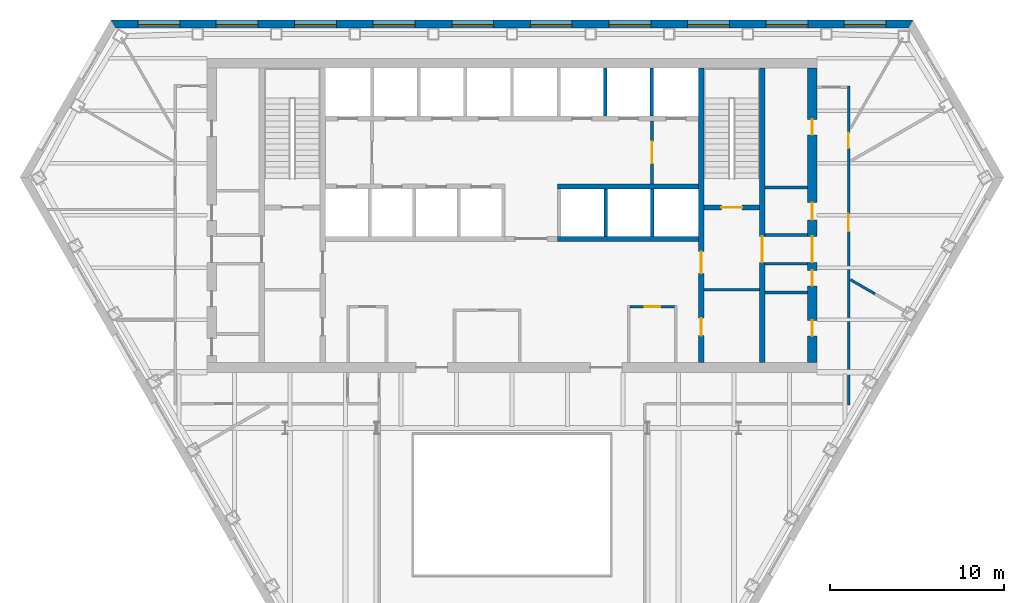
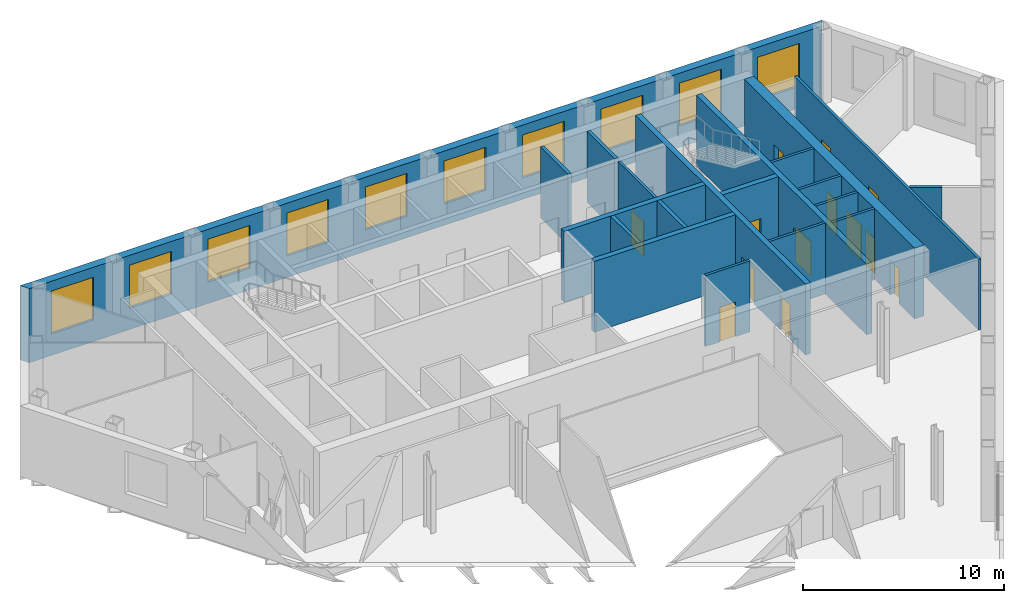
# One storey, part 7 of 11: 20 walls, 13 doors, 10 windows, 23 openings.
"""IFC4 building model written with IfcOpenShell, lengths in metres."""

from ifc_helpers import new_model, si_unit, direction, frame, frame_2d, origin, place, context, subcontext, project, spatial, polyline, rectangle, outline, extrude, material, layer, layer_set, type_object, element, fill, save


model = new_model("IFC4")

# Units and contexts
model_context = context("Model", 3, precision=1e-05, world=origin(), true_north=direction((0.0, 1.0)))
body_context = subcontext(model_context, "Body", "Model", "MODEL_VIEW")
ifc_project = project(units=[si_unit("LENGTHUNIT", "METRE"), si_unit("AREAUNIT", "SQUARE_METRE"), si_unit("VOLUMEUNIT", "CUBIC_METRE"), si_unit("PLANEANGLEUNIT", "RADIAN"), si_unit("MASSUNIT", "GRAM", prefix="KILO")], contexts=[model_context])

# Site, building, storey
site_placement = place(None, origin())
site = spatial("IfcSite", under=ifc_project, at=site_placement, CompositionType="ELEMENT")
building_placement = place(site_placement, origin())
building = spatial("IfcBuilding", under=site, at=building_placement, Name="Njiva Tower", CompositionType="ELEMENT")
storey_placement = place(building_placement, frame((0.0, 0.0, 84.3)))
storey = spatial("IfcBuildingStorey", under=building, at=storey_placement, Name="L17", CompositionType="ELEMENT", Elevation=84.3)

# Walls
ifc_material_1 = material(Name="Blockwork", Category="masonry")
ifc_layer_1 = layer(ifc_material_1, 0.15)
ifc_layer_set_1 = layer_set([ifc_layer_1], Name="Blockwork")
wall_type_1 = type_object("IfcWallType", Name="WT1 Compartment partition 150", PredefinedType="PARTITIONING", material=ifc_layer_set_1)
wall_1_placement = place(storey_placement, frame((11.0, 4.725, 0.0), z_axis=(0.0, 0.0, 1.0), x_axis=(1.0, 0.0, 0.0)))
element("IfcWall", 1, at=wall_1_placement, inside=storey, type_object=wall_type_1, Name="Room wall B", PredefinedType="PARTITIONING", context=body_context, shape_type="SweptSolid", body=[
    extrude(rectangle(XDim=3.2, YDim=0.15, at=frame_2d((1.6, 0.0))), origin(), (0.0, 0.0, 1.0), 4.3),
])
wall_2_placement = place(storey_placement, frame((14.5, 10.5941, 0.0), z_axis=(0.0, 0.0, 1.0), x_axis=(1.0, 0.0, 0.0)))
element("IfcWall", 2, at=wall_2_placement, inside=storey, type_object=wall_type_1, Name="Partition strip E10", PredefinedType="PARTITIONING", context=body_context, shape_type="SweptSolid", body=[
    extrude(rectangle(XDim=2.45, YDim=0.15, at=frame_2d((1.225, 0.0))), origin(), (0.0, 0.0, 1.0), 4.3),
])

# Wall, opening, door
wall_3_placement = place(storey_placement, frame((6.775, 3.75, 0.0), z_axis=(0.0, 0.0, 1.0), x_axis=(1.0, 0.0, 0.0)))
wall_3 = element("IfcWall", 3, at=wall_3_placement, inside=storey, type_object=wall_type_1, Name="Information office wall north", PredefinedType="PARTITIONING", context=body_context, shape_type="SweptSolid", body=[
    extrude(rectangle(XDim=2.55, YDim=0.15, at=frame_2d((1.275, 0.0))), origin(), (0.0, 0.0, 1.0), 4.3),
])
opening_1_placement = place(wall_3_placement, frame((0.825, 0.0, 0.0)))
opening_1 = element("IfcOpeningElement", 4, at=opening_1_placement, cuts=wall_3, Name="Opening S06-D934", PredefinedType="OPENING", context=body_context, shape_type="SweptSolid", body=[
    extrude(rectangle(XDim=0.9, YDim=2.1, at=frame_2d((0.45, 1.05))), frame((0.0, 0.085, 0.0), z_axis=(0.0, -1.0, 0.0), x_axis=(1.0, 0.0, 0.0)), (0.0, 0.0, 1.0), 0.17),
])
ifc_material_2 = material(Name="Steel fire door, painted", Category="steel")
door_type_1 = type_object("IfcDoorType", Name="D6 Fire-rated door 900x2100", OperationType="SINGLE_SWING_LEFT", PredefinedType="DOOR", material=ifc_material_2)
door_1_placement = place(opening_1_placement, origin())
door_1 = element("IfcDoor", 5, at=door_1_placement, inside=storey, type_object=door_type_1, Name="Information office door", OperationType="SINGLE_SWING_RIGHT", OverallHeight=2.1, OverallWidth=0.9, PredefinedType="DOOR", context=body_context, shape_type="SweptSolid", body=[
    extrude(rectangle(XDim=0.9, YDim=2.1, at=frame_2d((0.45, 1.05))), frame((0.0, 0.025, 0.0), z_axis=(0.0, -1.0, 0.0), x_axis=(1.0, 0.0, 0.0)), (0.0, 0.0, 1.0), 0.05),
])
fill(opening_1, door_1)

# Wall, openings, doors
ifc_material_3 = material(Name="Concrete C40/50", Category="concrete")
ifc_layer_2 = layer(ifc_material_3, 0.3)
ifc_layer_set_2 = layer_set([ifc_layer_2], Name="Concrete C40/50")
wall_type_2 = type_object("IfcWallType", Name="WT10 Stair enclosure wall 300", PredefinedType="SHEAR", material=ifc_layer_set_2)
wall_4_placement = place(storey_placement, frame((10.85, 0.55, 0.0), z_axis=(0.0, 0.0, 1.0), x_axis=(0.0, 1.0, 0.0)))
wall_4 = element("IfcWall", 6, at=wall_4_placement, inside=storey, type_object=wall_type_2, Name="Stair wall east inner", PredefinedType="SHEAR", context=body_context, shape_type="SweptSolid", body=[
    extrude(rectangle(XDim=16.9, YDim=0.3, at=frame_2d((8.45, 0.0))), origin(), (0.0, 0.0, 1.0), 4.3),
])
opening_2_placement = place(wall_4_placement, frame((5.125, 0.0, 0.0)))
opening_2 = element("IfcOpeningElement", 7, at=opening_2_placement, cuts=wall_4, Name="Opening S06-D918", PredefinedType="OPENING", context=body_context, shape_type="SweptSolid", body=[
    extrude(rectangle(XDim=1.25, YDim=2.1, at=frame_2d((0.625, 1.05))), frame((0.0, 0.16, 0.0), z_axis=(0.0, -1.0, 0.0), x_axis=(1.0, 0.0, 0.0)), (0.0, 0.0, 1.0), 0.32),
])
opening_3_placement = place(wall_4_placement, frame((1.55, 0.0, 0.0)))
opening_3 = element("IfcOpeningElement", 8, at=opening_3_placement, cuts=wall_4, Name="Opening S06-D919", PredefinedType="OPENING", context=body_context, shape_type="SweptSolid", body=[
    extrude(rectangle(XDim=1.0, YDim=2.1, at=frame_2d((0.5, 1.05))), frame((0.0, 0.16, 0.0), z_axis=(0.0, -1.0, 0.0), x_axis=(1.0, 0.0, 0.0)), (0.0, 0.0, 1.0), 0.32),
])
ifc_material_4 = material(Name="Steel door, painted", Category="steel")
door_type_2 = type_object("IfcDoorType", Name="D5 Steel door 1000x2100", OperationType="SINGLE_SWING_LEFT", PredefinedType="DOOR", material=ifc_material_4)
door_2_placement = place(opening_3_placement, origin())
door_2 = element("IfcDoor", 9, at=door_2_placement, inside=storey, type_object=door_type_2, Name="Business centre door", OperationType="SINGLE_SWING_LEFT", OverallHeight=2.1, OverallWidth=1.0, PredefinedType="DOOR", context=body_context, shape_type="SweptSolid", body=[
    extrude(rectangle(XDim=1.0, YDim=2.1, at=frame_2d((0.5, 1.05))), frame((0.0, 0.025, 0.0), z_axis=(0.0, -1.0, 0.0), x_axis=(1.0, 0.0, 0.0)), (0.0, 0.0, 1.0), 0.05),
])
fill(opening_3, door_2)
ifc_material_5 = material(Name="Glazed steel fire door", Category="steel")
door_type_3 = type_object("IfcDoorType", Name="D8 Vestibule corridor door 1250x2100 glazed", OperationType="SINGLE_SWING_LEFT", PredefinedType="DOOR", material=ifc_material_5)
door_3_placement = place(opening_2_placement, origin())
door_3 = element("IfcDoor", 10, at=door_3_placement, inside=storey, type_object=door_type_3, Name="Stair vestibule corridor door", OperationType="SINGLE_SWING_RIGHT", OverallHeight=2.1, OverallWidth=1.25, PredefinedType="DOOR", context=body_context, shape_type="SweptSolid", body=[
    extrude(rectangle(XDim=1.25, YDim=2.1, at=frame_2d((0.625, 1.05))), frame((0.0, 0.025, 0.0), z_axis=(0.0, -1.0, 0.0), x_axis=(1.0, 0.0, 0.0)), (0.0, 0.0, 1.0), 0.05),
])
fill(opening_2, door_3)

# Wall, opening, door
wall_5_placement = place(storey_placement, frame((14.35, 0.55, 0.0), z_axis=(0.0, 0.0, 1.0), x_axis=(0.0, 1.0, 0.0)))
wall_5 = element("IfcWall", 11, at=wall_5_placement, inside=storey, type_object=wall_type_2, Name="Stair wall east outer", PredefinedType="SHEAR", context=body_context, shape_type="SweptSolid", body=[
    extrude(rectangle(XDim=16.9, YDim=0.3, at=frame_2d((8.45, 0.0))), origin(), (0.0, 0.0, 1.0), 4.3),
])
opening_4_placement = place(wall_5_placement, frame((5.75, 0.0, 0.0)))
opening_4 = element("IfcOpeningElement", 12, at=opening_4_placement, cuts=wall_5, Name="Opening S06-D926", PredefinedType="OPENING", context=body_context, shape_type="SweptSolid", body=[
    extrude(rectangle(XDim=1.5, YDim=2.1, at=frame_2d((0.75, 1.05))), frame((0.0, 0.16, 0.0), z_axis=(0.0, -1.0, 0.0), x_axis=(1.0, 0.0, 0.0)), (0.0, 0.0, 1.0), 0.32),
])
door_type_4 = type_object("IfcDoorType", Name="D10 Exit door double 1500x2100 glazed", OperationType="DOUBLE_DOOR_SINGLE_SWING", PredefinedType="DOOR", material=ifc_material_5)
door_4_placement = place(opening_4_placement, origin())
door_4 = element("IfcDoor", 13, at=door_4_placement, inside=storey, type_object=door_type_4, Name="Stair B passage door", OperationType="DOUBLE_DOOR_SINGLE_SWING", OverallHeight=2.1, OverallWidth=1.5, PredefinedType="DOOR", context=body_context, shape_type="SweptSolid", body=[
    extrude(rectangle(XDim=1.5, YDim=2.1, at=frame_2d((0.75, 1.05))), frame((0.0, 0.025, 0.0), z_axis=(0.0, -1.0, 0.0), x_axis=(1.0, 0.0, 0.0)), (0.0, 0.0, 1.0), 0.05),
])
fill(opening_4, door_4)

wall_6_placement = place(storey_placement, frame((11.0, 9.45, 0.0), z_axis=(0.0, 0.0, 1.0), x_axis=(1.0, 0.0, 0.0)))
wall_6 = element("IfcWall", 14, at=wall_6_placement, inside=storey, type_object=wall_type_2, Name="Stair B south wall", PredefinedType="SHEAR", context=body_context, shape_type="SweptSolid", body=[
    extrude(rectangle(XDim=3.2, YDim=0.3, at=frame_2d((1.6, 0.0))), origin(), (0.0, 0.0, 1.0), 4.3),
])
opening_5_placement = place(wall_6_placement, frame((1.0, 0.0, 0.0)))
opening_5 = element("IfcOpeningElement", 15, at=opening_5_placement, cuts=wall_6, Name="Opening S06-D917", PredefinedType="OPENING", context=body_context, shape_type="SweptSolid", body=[
    extrude(rectangle(XDim=1.2, YDim=2.1, at=frame_2d((0.6, 1.05))), frame((0.0, 0.16, 0.0), z_axis=(0.0, -1.0, 0.0), x_axis=(1.0, 0.0, 0.0)), (0.0, 0.0, 1.0), 0.32),
])
door_type_5 = type_object("IfcDoorType", Name="D7 Stair vestibule door 1200x2100 glazed", OperationType="SINGLE_SWING_LEFT", PredefinedType="DOOR", material=ifc_material_5)
door_5_placement = place(opening_5_placement, origin())
door_5 = element("IfcDoor", 16, at=door_5_placement, inside=storey, type_object=door_type_5, Name="Stair B door", OperationType="SINGLE_SWING_LEFT", OverallHeight=2.1, OverallWidth=1.2, PredefinedType="DOOR", context=body_context, shape_type="SweptSolid", body=[
    extrude(rectangle(XDim=1.2, YDim=2.1, at=frame_2d((0.6, 1.05))), frame((0.0, 0.025, 0.0), z_axis=(0.0, -1.0, 0.0), x_axis=(1.0, 0.0, 0.0)), (0.0, 0.0, 1.0), 0.05),
])
fill(opening_5, door_5)

# Wall, openings, doors
ifc_material_6 = material(Name="Concrete C60/75", Category="concrete")
ifc_layer_3 = layer(ifc_material_6, 0.55)
ifc_layer_set_3 = layer_set([ifc_layer_3], Name="Concrete C60/75")
wall_type_3 = type_object("IfcWallType", Name="WT14 Core wall 550", PredefinedType="SHEAR", material=ifc_layer_set_3)
wall_7_placement = place(storey_placement, frame((17.225, 0.55, 0.0), z_axis=(0.0, 0.0, 1.0), x_axis=(0.0, 1.0, 0.0)))
wall_7 = element("IfcWall", 17, at=wall_7_placement, inside=storey, type_object=wall_type_3, Name="Core wall east", PredefinedType="SHEAR", context=body_context, shape_type="SweptSolid", body=[
    extrude(rectangle(XDim=16.9, YDim=0.55, at=frame_2d((8.45, 0.0))), origin(), (0.0, 0.0, 1.0), 4.3),
])
opening_6_placement = place(wall_7_placement, frame((5.75, 0.0, 0.0)))
opening_6 = element("IfcOpeningElement", 18, at=opening_6_placement, cuts=wall_7, Name="Opening S06-D927", PredefinedType="OPENING", context=body_context, shape_type="SweptSolid", body=[
    extrude(rectangle(XDim=1.5, YDim=2.1, at=frame_2d((0.75, 1.05))), frame((0.0, 0.285, 0.0), z_axis=(0.0, -1.0, 0.0), x_axis=(1.0, 0.0, 0.0)), (0.0, 0.0, 1.0), 0.57),
])
opening_7_placement = place(wall_7_placement, frame((1.525, 0.0, 0.0)))
opening_7 = element("IfcOpeningElement", 19, at=opening_7_placement, cuts=wall_7, Name="Opening S06-D928", PredefinedType="OPENING", context=body_context, shape_type="SweptSolid", body=[
    extrude(rectangle(XDim=0.9, YDim=2.1, at=frame_2d((0.45, 1.05))), frame((0.0, 0.285, 0.0), z_axis=(0.0, -1.0, 0.0), x_axis=(1.0, 0.0, 0.0)), (0.0, 0.0, 1.0), 0.57),
])
opening_8_placement = place(wall_7_placement, frame((4.4, 0.0, 0.0)))
opening_8 = element("IfcOpeningElement", 20, at=opening_8_placement, cuts=wall_7, Name="Opening S06-D929", PredefinedType="OPENING", context=body_context, shape_type="SweptSolid", body=[
    extrude(rectangle(XDim=0.9, YDim=2.1, at=frame_2d((0.45, 1.05))), frame((0.0, 0.285, 0.0), z_axis=(0.0, -1.0, 0.0), x_axis=(1.0, 0.0, 0.0)), (0.0, 0.0, 1.0), 0.57),
])
opening_9_placement = place(wall_7_placement, frame((8.1845, 0.0, 0.0)))
opening_9 = element("IfcOpeningElement", 21, at=opening_9_placement, cuts=wall_7, Name="Opening S06-D930", PredefinedType="OPENING", context=body_context, shape_type="SweptSolid", body=[
    extrude(rectangle(XDim=1.0, YDim=2.1, at=frame_2d((0.5, 1.05))), frame((0.0, 0.285, 0.0), z_axis=(0.0, -1.0, 0.0), x_axis=(1.0, 0.0, 0.0)), (0.0, 0.0, 1.0), 0.57),
])
opening_10_placement = place(wall_7_placement, frame((13.0595, 0.0, 0.0)))
opening_10 = element("IfcOpeningElement", 22, at=opening_10_placement, cuts=wall_7, Name="Opening S06-D931", PredefinedType="OPENING", context=body_context, shape_type="SweptSolid", body=[
    extrude(rectangle(XDim=0.9, YDim=2.1, at=frame_2d((0.45, 1.05))), frame((0.0, 0.285, 0.0), z_axis=(0.0, -1.0, 0.0), x_axis=(1.0, 0.0, 0.0)), (0.0, 0.0, 1.0), 0.57),
])
door_6_placement = place(opening_6_placement, origin())
door_6 = element("IfcDoor", 23, at=door_6_placement, inside=storey, type_object=door_type_4, Name="Stair B corridor door", OperationType="DOUBLE_DOOR_SINGLE_SWING", OverallHeight=2.1, OverallWidth=1.5, PredefinedType="DOOR", context=body_context, shape_type="SweptSolid", body=[
    extrude(rectangle(XDim=1.5, YDim=2.1, at=frame_2d((0.75, 1.05))), frame((0.0, 0.025, 0.0), z_axis=(0.0, -1.0, 0.0), x_axis=(1.0, 0.0, 0.0)), (0.0, 0.0, 1.0), 0.05),
])
fill(opening_6, door_6)
door_type_6 = type_object("IfcDoorType", Name="D4 Riser door 900x2100", OperationType="SINGLE_SWING_LEFT", PredefinedType="DOOR", material=ifc_material_4)
door_7_placement = place(opening_8_placement, origin())
door_7 = element("IfcDoor", 24, at=door_7_placement, inside=storey, type_object=door_type_6, Name="Riser door", OperationType="SINGLE_SWING_LEFT", OverallHeight=2.1, OverallWidth=0.9, PredefinedType="DOOR", context=body_context, shape_type="SweptSolid", body=[
    extrude(rectangle(XDim=0.9, YDim=2.1, at=frame_2d((0.45, 1.05))), frame((0.0, 0.025, 0.0), z_axis=(0.0, -1.0, 0.0), x_axis=(1.0, 0.0, 0.0)), (0.0, 0.0, 1.0), 0.05),
])
fill(opening_8, door_7)
door_8_placement = place(opening_9_placement, origin())
door_8 = element("IfcDoor", 25, at=door_8_placement, inside=storey, type_object=door_type_2, Name="Telecoms room door", OperationType="SINGLE_SWING_LEFT", OverallHeight=2.1, OverallWidth=1.0, PredefinedType="DOOR", context=body_context, shape_type="SweptSolid", body=[
    extrude(rectangle(XDim=1.0, YDim=2.1, at=frame_2d((0.5, 1.05))), frame((0.0, 0.025, 0.0), z_axis=(0.0, -1.0, 0.0), x_axis=(1.0, 0.0, 0.0)), (0.0, 0.0, 1.0), 0.05),
])
fill(opening_9, door_8)
door_9_placement = place(opening_7_placement, origin())
door_9 = element("IfcDoor", 26, at=door_9_placement, inside=storey, type_object=door_type_1, Name="Reading room door", OperationType="SINGLE_SWING_RIGHT", OverallHeight=2.1, OverallWidth=0.9, PredefinedType="DOOR", context=body_context, shape_type="SweptSolid", body=[
    extrude(rectangle(XDim=0.9, YDim=2.1, at=frame_2d((0.45, 1.05))), frame((0.0, 0.025, 0.0), z_axis=(0.0, -1.0, 0.0), x_axis=(1.0, 0.0, 0.0)), (0.0, 0.0, 1.0), 0.05),
])
fill(opening_7, door_9)
door_10_placement = place(opening_10_placement, origin())
door_10 = element("IfcDoor", 27, at=door_10_placement, inside=storey, type_object=door_type_1, Name="Tenant centre door", OperationType="SINGLE_SWING_LEFT", OverallHeight=2.1, OverallWidth=0.9, PredefinedType="DOOR", context=body_context, shape_type="SweptSolid", body=[
    extrude(rectangle(XDim=0.9, YDim=2.1, at=frame_2d((0.45, 1.05))), frame((0.0, 0.025, 0.0), z_axis=(0.0, -1.0, 0.0), x_axis=(1.0, 0.0, 0.0)), (0.0, 0.0, 1.0), 0.05),
])
fill(opening_10, door_10)

# Wall, opening, door
ifc_layer_4 = layer(ifc_material_1, 0.15)
ifc_layer_set_4 = layer_set([ifc_layer_4], Name="Blockwork")
wall_type_4 = type_object("IfcWallType", Name="WT2 Lobby partition 150", PredefinedType="PARTITIONING", material=ifc_layer_set_4)
wall_8_placement = place(storey_placement, frame((8.025, 10.8, 0.0), z_axis=(0.0, 0.0, 1.0), x_axis=(0.0, 1.0, 0.0)))
wall_8 = element("IfcWall", 28, at=wall_8_placement, inside=storey, type_object=wall_type_4, Name="Firefighting lobby wall B", PredefinedType="PARTITIONING", context=body_context, shape_type="SweptSolid", body=[
    extrude(rectangle(XDim=3.6, YDim=0.15, at=frame_2d((1.8, 0.0))), origin(), (0.0, 0.0, 1.0), 4.3),
])
opening_11_placement = place(wall_8_placement, frame((1.175, 0.0, 0.0)))
opening_11 = element("IfcOpeningElement", 29, at=opening_11_placement, cuts=wall_8, Name="Opening S06-D916", PredefinedType="OPENING", context=body_context, shape_type="SweptSolid", body=[
    extrude(rectangle(XDim=1.25, YDim=2.1, at=frame_2d((0.625, 1.05))), frame((0.0, 0.085, 0.0), z_axis=(0.0, -1.0, 0.0), x_axis=(1.0, 0.0, 0.0)), (0.0, 0.0, 1.0), 0.17),
])
door_11_placement = place(opening_11_placement, origin())
door_11 = element("IfcDoor", 30, at=door_11_placement, inside=storey, type_object=door_type_3, Name="Stair vestibule corridor door", OperationType="SINGLE_SWING_LEFT", OverallHeight=2.1, OverallWidth=1.25, PredefinedType="DOOR", context=body_context, shape_type="SweptSolid", body=[
    extrude(rectangle(XDim=1.25, YDim=2.1, at=frame_2d((0.625, 1.05))), frame((0.0, 0.025, 0.0), z_axis=(0.0, -1.0, 0.0), x_axis=(1.0, 0.0, 0.0)), (0.0, 0.0, 1.0), 0.05),
])
fill(opening_11, door_11)

# Wall, openings, doors
ifc_material_7 = material(Name="Gypsum board on steel studs", Category="gypsum")
ifc_layer_5 = layer(ifc_material_7, 0.15)
ifc_layer_set_5 = layer_set([ifc_layer_5], Name="Gypsum board on steel studs")
wall_type_5 = type_object("IfcWallType", Name="WT21 Compartment wall 150", PredefinedType="PARTITIONING", material=ifc_layer_set_5)
wall_9_placement = place(storey_placement, frame((19.3, -1.875, 0.0), z_axis=(0.0, 0.0, 1.0), x_axis=(0.0, 1.0, 0.0)))
wall_9 = element("IfcWall", 31, at=wall_9_placement, inside=storey, type_object=wall_type_5, Name="Partition S06-P020", PredefinedType="PARTITIONING", context=body_context, shape_type="SweptSolid", body=[
    extrude(rectangle(XDim=18.3, YDim=0.15, at=frame_2d((9.15, 0.0))), origin(), (0.0, 0.0, 1.0), 4.3),
])
opening_12_placement = place(wall_9_placement, frame((9.958, 0.0, 0.0)))
opening_12 = element("IfcOpeningElement", 32, at=opening_12_placement, cuts=wall_9, Name="Opening S06-D012", PredefinedType="OPENING", context=body_context, shape_type="SweptSolid", body=[
    extrude(rectangle(XDim=1.0, YDim=2.1, at=frame_2d((0.5, 1.05))), frame((0.0, 0.085, 0.0), z_axis=(0.0, -1.0, 0.0), x_axis=(1.0, 0.0, 0.0)), (0.0, 0.0, 1.0), 0.17),
])
opening_13_placement = place(wall_9_placement, frame((14.725, 0.0, 0.0)))
opening_13 = element("IfcOpeningElement", 33, at=opening_13_placement, cuts=wall_9, Name="Opening S06-D013", PredefinedType="OPENING", context=body_context, shape_type="SweptSolid", body=[
    extrude(rectangle(XDim=0.9, YDim=2.1, at=frame_2d((0.45, 1.05))), frame((0.0, 0.085, 0.0), z_axis=(0.0, -1.0, 0.0), x_axis=(1.0, 0.0, 0.0)), (0.0, 0.0, 1.0), 0.17),
])
ifc_material_8 = material(Name="Steel fire door set", Category="steel")
door_type_7 = type_object("IfcDoorType", Name="D36 Fire door 900x2100", OperationType="SINGLE_SWING_LEFT", PredefinedType="DOOR", material=ifc_material_8)
door_12_placement = place(opening_13_placement, origin())
door_12 = element("IfcDoor", 34, at=door_12_placement, inside=storey, type_object=door_type_7, Name="Door S06-D013", OperationType="SINGLE_SWING_RIGHT", OverallHeight=2.1, OverallWidth=0.9, PredefinedType="DOOR", context=body_context, shape_type="SweptSolid", body=[
    extrude(rectangle(XDim=0.9, YDim=2.1, at=frame_2d((0.45, 1.05))), frame((0.0, 0.025, 0.0), z_axis=(0.0, -1.0, 0.0), x_axis=(1.0, 0.0, 0.0)), (0.0, 0.0, 1.0), 0.05),
])
fill(opening_13, door_12)
door_type_8 = type_object("IfcDoorType", Name="D37 Fire door 1000x2100", OperationType="SINGLE_SWING_LEFT", PredefinedType="DOOR", material=ifc_material_8)
door_13_placement = place(opening_12_placement, origin())
door_13 = element("IfcDoor", 35, at=door_13_placement, inside=storey, type_object=door_type_8, Name="Door S06-D012", OperationType="SINGLE_SWING_RIGHT", OverallHeight=2.1, OverallWidth=1.0, PredefinedType="DOOR", context=body_context, shape_type="SweptSolid", body=[
    extrude(rectangle(XDim=1.0, YDim=2.1, at=frame_2d((0.5, 1.05))), frame((0.0, 0.025, 0.0), z_axis=(0.0, -1.0, 0.0), x_axis=(1.0, 0.0, 0.0)), (0.0, 0.0, 1.0), 0.05),
])
fill(opening_12, door_13)

# Walls
wall_10_placement = place(storey_placement, frame((19.413, 5.306, 0.0), z_axis=(0.0, 0.0, 1.0), x_axis=(0.865835305332, -0.500329115724, 0.0)))
element("IfcWall", 36, at=wall_10_placement, inside=storey, type_object=wall_type_5, Name="Partition S06-P022", PredefinedType="PARTITIONING", context=body_context, shape_type="SweptSolid", body=[
    extrude(rectangle(XDim=1.6169, YDim=0.15, at=frame_2d((0.8084, 0.0))), origin(), (0.0, 0.0, 1.0), 4.3),
])
ifc_layer_6 = layer(ifc_material_1, 0.15)
ifc_layer_set_6 = layer_set([ifc_layer_6], Name="Blockwork")
wall_type_6 = type_object("IfcWallType", Name="WT3 Riser partition 150", PredefinedType="PARTITIONING", material=ifc_layer_set_6)
wall_11_placement = place(storey_placement, frame((14.5, 4.575, 0.0), z_axis=(0.0, 0.0, 1.0), x_axis=(1.0, 0.0, 0.0)))
element("IfcWall", 37, at=wall_11_placement, inside=storey, type_object=wall_type_6, Name="Partition strip E00", PredefinedType="PARTITIONING", context=body_context, shape_type="SweptSolid", body=[
    extrude(rectangle(XDim=2.45, YDim=0.15, at=frame_2d((1.225, 0.0))), origin(), (0.0, 0.0, 1.0), 4.3),
])
ifc_layer_7 = layer(ifc_material_1, 0.15)
ifc_layer_set_7 = layer_set([ifc_layer_7], Name="Blockwork")
wall_type_7 = type_object("IfcWallType", Name="WT4 Stair partition 150", PredefinedType="PARTITIONING", material=ifc_layer_set_7)
for number, where, z_axis, x_axis, name in (
    (38, (14.5, 6.225, 0.0), (0.0, 0.0, 1.0), (1.0, 0.0, 0.0), "Stair B exit passage wall south"),
    (39, (14.5, 7.875, 0.0), (0.0, 0.0, 1.0), (1.0, 0.0, 0.0), "Stair B exit passage wall north"),
):
    element("IfcWall", number, at=place(storey_placement, frame(where, z_axis=z_axis, x_axis=x_axis)), inside=storey, type_object=wall_type_7, Name=name, PredefinedType="PARTITIONING", context=body_context, shape_type="SweptSolid", body=[
        extrude(rectangle(XDim=2.45, YDim=0.15, at=frame_2d((1.225, 0.0))), origin(), (0.0, 0.0, 1.0), 4.3),
    ])
ifc_layer_8 = layer(ifc_material_3, 0.2)
ifc_layer_set_8 = layer_set([ifc_layer_8], Name="Concrete C40/50")
wall_type_8 = type_object("IfcWallType", Name="WT6 Lift shaft wall 200", PredefinedType="SHEAR", material=ifc_layer_set_8)
for number, where, z_axis, x_axis, name in (
    (40, (5.35, 14.7, 0.0), (0.0, 0.0, 1.0), (0.0, 1.0, 0.0), "Shaft wall CN6"),
    (41, (8.025, 14.7, 0.0), (0.0, 0.0, 1.0), (0.0, 1.0, 0.0), "Shaft wall CN7"),
):
    element("IfcWall", number, at=place(storey_placement, frame(where, z_axis=z_axis, x_axis=x_axis)), inside=storey, type_object=wall_type_8, Name=name, PredefinedType="SHEAR", context=body_context, shape_type="SweptSolid", body=[
        extrude(rectangle(XDim=2.75, YDim=0.2, at=frame_2d((1.375, 0.0))), origin(), (0.0, 0.0, 1.0), 4.3),
    ])
for number, where, z_axis, x_axis, name in (
    (42, (5.3667, 7.8, 0.0), (0.0, 0.0, 1.0), (0.0, 1.0, 0.0), "Shaft wall CS6"),
    (43, (8.0333, 7.8, 0.0), (0.0, 0.0, 1.0), (0.0, 1.0, 0.0), "Shaft wall CS7"),
):
    element("IfcWall", number, at=place(storey_placement, frame(where, z_axis=z_axis, x_axis=x_axis)), inside=storey, type_object=wall_type_8, Name=name, PredefinedType="SHEAR", context=body_context, shape_type="SweptSolid", body=[
        extrude(rectangle(XDim=2.7, YDim=0.2, at=frame_2d((1.35, 0.0))), origin(), (0.0, 0.0, 1.0), 4.3),
    ])
ifc_layer_9 = layer(ifc_material_3, 0.3)
ifc_layer_set_9 = layer_set([ifc_layer_9], Name="Concrete C40/50")
wall_type_9 = type_object("IfcWallType", Name="WT7 Lift shaft wall 300", PredefinedType="SHEAR", material=ifc_layer_set_9)
for number, where, z_axis, x_axis, name in (
    (44, (2.6, 10.65, 0.0), (0.0, 0.0, 1.0), (1.0, 0.0, 0.0), "Shaft wall south row lobby side E"),
    (45, (2.6, 7.65, 0.0), (0.0, 0.0, 1.0), (1.0, 0.0, 0.0), "Shaft wall south row back E"),
):
    element("IfcWall", number, at=place(storey_placement, frame(where, z_axis=z_axis, x_axis=x_axis)), inside=storey, type_object=wall_type_9, Name=name, PredefinedType="SHEAR", context=body_context, shape_type="SweptSolid", body=[
        extrude(rectangle(XDim=8.1, YDim=0.3, at=frame_2d((4.05, 0.0))), origin(), (0.0, 0.0, 1.0), 4.3),
    ])

# Wall, openings, windows
ifc_material_9 = material(Name="Brick masonry", Category="masonry")
ifc_layer_10 = layer(ifc_material_9, 0.45)
ifc_layer_set_10 = layer_set([ifc_layer_10], Name="Brick masonry")
wall_type_10 = type_object("IfcWallType", Name="WT90 Brick pier and spandrel wall 450", PredefinedType="SOLIDWALL", material=ifc_layer_set_10)
wall_12_placement = place(storey_placement, frame((22.8651, 19.975, -0.4), z_axis=(0.0, 0.0, 1.0), x_axis=(-1.0, 0.0, 0.0)))
wall_12 = element("IfcWall", 46, at=wall_12_placement, inside=storey, type_object=wall_type_10, Name="Facade wall N", PredefinedType="SOLIDWALL", context=body_context, shape_type="SweptSolid", body=[
    extrude(outline(polyline([(-0.1299, -0.225), (45.8601, -0.225), (45.6003, 0.225), (0.1299, 0.225), (-0.1299, -0.225)])), origin(), (0.0, 0.0, 1.0), 4.5),
])
opening_14_placement = place(wall_12_placement, frame((1.4237, 0.0, 1.3)))
opening_14 = element("IfcOpeningElement", 47, at=opening_14_placement, cuts=wall_12, Name="Opening S06-W01", PredefinedType="OPENING", context=body_context, shape_type="SweptSolid", body=[
    extrude(rectangle(XDim=2.4, YDim=2.6, at=frame_2d((1.2, 1.3))), frame((0.0, 0.235, 0.0), z_axis=(0.0, -1.0, 0.0), x_axis=(1.0, 0.0, 0.0)), (0.0, 0.0, 1.0), 0.47),
])
opening_15_placement = place(wall_12_placement, frame((5.8919, 0.0, 1.3)))
opening_15 = element("IfcOpeningElement", 48, at=opening_15_placement, cuts=wall_12, Name="Opening S06-W02", PredefinedType="OPENING", context=body_context, shape_type="SweptSolid", body=[
    extrude(rectangle(XDim=2.4, YDim=2.6, at=frame_2d((1.2, 1.3))), frame((0.0, 0.235, 0.0), z_axis=(0.0, -1.0, 0.0), x_axis=(1.0, 0.0, 0.0)), (0.0, 0.0, 1.0), 0.47),
])
opening_16_placement = place(wall_12_placement, frame((10.3985, 0.0, 1.3)))
opening_16 = element("IfcOpeningElement", 49, at=opening_16_placement, cuts=wall_12, Name="Opening S06-W03", PredefinedType="OPENING", context=body_context, shape_type="SweptSolid", body=[
    extrude(rectangle(XDim=2.4, YDim=2.6, at=frame_2d((1.2, 1.3))), frame((0.0, 0.235, 0.0), z_axis=(0.0, -1.0, 0.0), x_axis=(1.0, 0.0, 0.0)), (0.0, 0.0, 1.0), 0.47),
])
opening_17_placement = place(wall_12_placement, frame((14.9052, 0.0, 1.3)))
opening_17 = element("IfcOpeningElement", 50, at=opening_17_placement, cuts=wall_12, Name="Opening S06-W04", PredefinedType="OPENING", context=body_context, shape_type="SweptSolid", body=[
    extrude(rectangle(XDim=2.4, YDim=2.6, at=frame_2d((1.2, 1.3))), frame((0.0, 0.235, 0.0), z_axis=(0.0, -1.0, 0.0), x_axis=(1.0, 0.0, 0.0)), (0.0, 0.0, 1.0), 0.47),
])
opening_18_placement = place(wall_12_placement, frame((19.4118, 0.0, 1.3)))
opening_18 = element("IfcOpeningElement", 51, at=opening_18_placement, cuts=wall_12, Name="Opening S06-W05", PredefinedType="OPENING", context=body_context, shape_type="SweptSolid", body=[
    extrude(rectangle(XDim=2.4, YDim=2.6, at=frame_2d((1.2, 1.3))), frame((0.0, 0.235, 0.0), z_axis=(0.0, -1.0, 0.0), x_axis=(1.0, 0.0, 0.0)), (0.0, 0.0, 1.0), 0.47),
])
opening_19_placement = place(wall_12_placement, frame((23.9184, 0.0, 1.3)))
opening_19 = element("IfcOpeningElement", 52, at=opening_19_placement, cuts=wall_12, Name="Opening S06-W06", PredefinedType="OPENING", context=body_context, shape_type="SweptSolid", body=[
    extrude(rectangle(XDim=2.4, YDim=2.6, at=frame_2d((1.2, 1.3))), frame((0.0, 0.235, 0.0), z_axis=(0.0, -1.0, 0.0), x_axis=(1.0, 0.0, 0.0)), (0.0, 0.0, 1.0), 0.47),
])
opening_20_placement = place(wall_12_placement, frame((28.425, 0.0, 1.3)))
opening_20 = element("IfcOpeningElement", 53, at=opening_20_placement, cuts=wall_12, Name="Opening S06-W07", PredefinedType="OPENING", context=body_context, shape_type="SweptSolid", body=[
    extrude(rectangle(XDim=2.4, YDim=2.6, at=frame_2d((1.2, 1.3))), frame((0.0, 0.235, 0.0), z_axis=(0.0, -1.0, 0.0), x_axis=(1.0, 0.0, 0.0)), (0.0, 0.0, 1.0), 0.47),
])
opening_21_placement = place(wall_12_placement, frame((32.9316, 0.0, 1.3)))
opening_21 = element("IfcOpeningElement", 54, at=opening_21_placement, cuts=wall_12, Name="Opening S06-W08", PredefinedType="OPENING", context=body_context, shape_type="SweptSolid", body=[
    extrude(rectangle(XDim=2.4, YDim=2.6, at=frame_2d((1.2, 1.3))), frame((0.0, 0.235, 0.0), z_axis=(0.0, -1.0, 0.0), x_axis=(1.0, 0.0, 0.0)), (0.0, 0.0, 1.0), 0.47),
])
opening_22_placement = place(wall_12_placement, frame((37.4383, 0.0, 1.3)))
opening_22 = element("IfcOpeningElement", 55, at=opening_22_placement, cuts=wall_12, Name="Opening S06-W09", PredefinedType="OPENING", context=body_context, shape_type="SweptSolid", body=[
    extrude(rectangle(XDim=2.4, YDim=2.6, at=frame_2d((1.2, 1.3))), frame((0.0, 0.235, 0.0), z_axis=(0.0, -1.0, 0.0), x_axis=(1.0, 0.0, 0.0)), (0.0, 0.0, 1.0), 0.47),
])
opening_23_placement = place(wall_12_placement, frame((41.9065, 0.0, 1.3)))
opening_23 = element("IfcOpeningElement", 56, at=opening_23_placement, cuts=wall_12, Name="Opening S06-W10", PredefinedType="OPENING", context=body_context, shape_type="SweptSolid", body=[
    extrude(rectangle(XDim=2.4, YDim=2.6, at=frame_2d((1.2, 1.3))), frame((0.0, 0.235, 0.0), z_axis=(0.0, -1.0, 0.0), x_axis=(1.0, 0.0, 0.0)), (0.0, 0.0, 1.0), 0.47),
])
ifc_material_10 = material(Name="Clear glazing in aluminium frame", Category="aluminium")
window_type = type_object("IfcWindowType", Name="W92 Deep-set window 2400x2600", PartitioningType="SINGLE_PANEL", PredefinedType="WINDOW", material=ifc_material_10)
window_1_placement = place(opening_14_placement, origin())
window_1 = element("IfcWindow", 57, at=window_1_placement, inside=storey, type_object=window_type, Name="Window", OverallHeight=2.6, OverallWidth=2.4, PartitioningType="SINGLE_PANEL", PredefinedType="WINDOW", context=body_context, shape_type="SweptSolid", body=[
    extrude(rectangle(XDim=2.4, YDim=2.6, at=frame_2d((1.2, 1.3))), frame((0.0, 0.105, 0.0), z_axis=(0.0, -1.0, 0.0), x_axis=(1.0, 0.0, 0.0)), (0.0, 0.0, 1.0), 0.06),
])
fill(opening_14, window_1)
window_2_placement = place(opening_15_placement, origin())
window_2 = element("IfcWindow", 58, at=window_2_placement, inside=storey, type_object=window_type, Name="Window", OverallHeight=2.6, OverallWidth=2.4, PartitioningType="SINGLE_PANEL", PredefinedType="WINDOW", context=body_context, shape_type="SweptSolid", body=[
    extrude(rectangle(XDim=2.4, YDim=2.6, at=frame_2d((1.2, 1.3))), frame((0.0, 0.105, 0.0), z_axis=(0.0, -1.0, 0.0), x_axis=(1.0, 0.0, 0.0)), (0.0, 0.0, 1.0), 0.06),
])
fill(opening_15, window_2)
window_3_placement = place(opening_16_placement, origin())
window_3 = element("IfcWindow", 59, at=window_3_placement, inside=storey, type_object=window_type, Name="Window", OverallHeight=2.6, OverallWidth=2.4, PartitioningType="SINGLE_PANEL", PredefinedType="WINDOW", context=body_context, shape_type="SweptSolid", body=[
    extrude(rectangle(XDim=2.4, YDim=2.6, at=frame_2d((1.2, 1.3))), frame((0.0, 0.105, 0.0), z_axis=(0.0, -1.0, 0.0), x_axis=(1.0, 0.0, 0.0)), (0.0, 0.0, 1.0), 0.06),
])
fill(opening_16, window_3)
window_4_placement = place(opening_17_placement, origin())
window_4 = element("IfcWindow", 60, at=window_4_placement, inside=storey, type_object=window_type, Name="Window", OverallHeight=2.6, OverallWidth=2.4, PartitioningType="SINGLE_PANEL", PredefinedType="WINDOW", context=body_context, shape_type="SweptSolid", body=[
    extrude(rectangle(XDim=2.4, YDim=2.6, at=frame_2d((1.2, 1.3))), frame((0.0, 0.105, 0.0), z_axis=(0.0, -1.0, 0.0), x_axis=(1.0, 0.0, 0.0)), (0.0, 0.0, 1.0), 0.06),
])
fill(opening_17, window_4)
window_5_placement = place(opening_18_placement, origin())
window_5 = element("IfcWindow", 61, at=window_5_placement, inside=storey, type_object=window_type, Name="Window", OverallHeight=2.6, OverallWidth=2.4, PartitioningType="SINGLE_PANEL", PredefinedType="WINDOW", context=body_context, shape_type="SweptSolid", body=[
    extrude(rectangle(XDim=2.4, YDim=2.6, at=frame_2d((1.2, 1.3))), frame((0.0, 0.105, 0.0), z_axis=(0.0, -1.0, 0.0), x_axis=(1.0, 0.0, 0.0)), (0.0, 0.0, 1.0), 0.06),
])
fill(opening_18, window_5)
window_6_placement = place(opening_19_placement, origin())
window_6 = element("IfcWindow", 62, at=window_6_placement, inside=storey, type_object=window_type, Name="Window", OverallHeight=2.6, OverallWidth=2.4, PartitioningType="SINGLE_PANEL", PredefinedType="WINDOW", context=body_context, shape_type="SweptSolid", body=[
    extrude(rectangle(XDim=2.4, YDim=2.6, at=frame_2d((1.2, 1.3))), frame((0.0, 0.105, 0.0), z_axis=(0.0, -1.0, 0.0), x_axis=(1.0, 0.0, 0.0)), (0.0, 0.0, 1.0), 0.06),
])
fill(opening_19, window_6)
window_7_placement = place(opening_20_placement, origin())
window_7 = element("IfcWindow", 63, at=window_7_placement, inside=storey, type_object=window_type, Name="Window", OverallHeight=2.6, OverallWidth=2.4, PartitioningType="SINGLE_PANEL", PredefinedType="WINDOW", context=body_context, shape_type="SweptSolid", body=[
    extrude(rectangle(XDim=2.4, YDim=2.6, at=frame_2d((1.2, 1.3))), frame((0.0, 0.105, 0.0), z_axis=(0.0, -1.0, 0.0), x_axis=(1.0, 0.0, 0.0)), (0.0, 0.0, 1.0), 0.06),
])
fill(opening_20, window_7)
window_8_placement = place(opening_21_placement, origin())
window_8 = element("IfcWindow", 64, at=window_8_placement, inside=storey, type_object=window_type, Name="Window", OverallHeight=2.6, OverallWidth=2.4, PartitioningType="SINGLE_PANEL", PredefinedType="WINDOW", context=body_context, shape_type="SweptSolid", body=[
    extrude(rectangle(XDim=2.4, YDim=2.6, at=frame_2d((1.2, 1.3))), frame((0.0, 0.105, 0.0), z_axis=(0.0, -1.0, 0.0), x_axis=(1.0, 0.0, 0.0)), (0.0, 0.0, 1.0), 0.06),
])
fill(opening_21, window_8)
window_9_placement = place(opening_22_placement, origin())
window_9 = element("IfcWindow", 65, at=window_9_placement, inside=storey, type_object=window_type, Name="Window", OverallHeight=2.6, OverallWidth=2.4, PartitioningType="SINGLE_PANEL", PredefinedType="WINDOW", context=body_context, shape_type="SweptSolid", body=[
    extrude(rectangle(XDim=2.4, YDim=2.6, at=frame_2d((1.2, 1.3))), frame((0.0, 0.105, 0.0), z_axis=(0.0, -1.0, 0.0), x_axis=(1.0, 0.0, 0.0)), (0.0, 0.0, 1.0), 0.06),
])
fill(opening_22, window_9)
window_10_placement = place(opening_23_placement, origin())
window_10 = element("IfcWindow", 66, at=window_10_placement, inside=storey, type_object=window_type, Name="Window", OverallHeight=2.6, OverallWidth=2.4, PartitioningType="SINGLE_PANEL", PredefinedType="WINDOW", context=body_context, shape_type="SweptSolid", body=[
    extrude(rectangle(XDim=2.4, YDim=2.6, at=frame_2d((1.2, 1.3))), frame((0.0, 0.105, 0.0), z_axis=(0.0, -1.0, 0.0), x_axis=(1.0, 0.0, 0.0)), (0.0, 0.0, 1.0), 0.06),
])
fill(opening_23, window_10)

save(model, "model.ifc")
